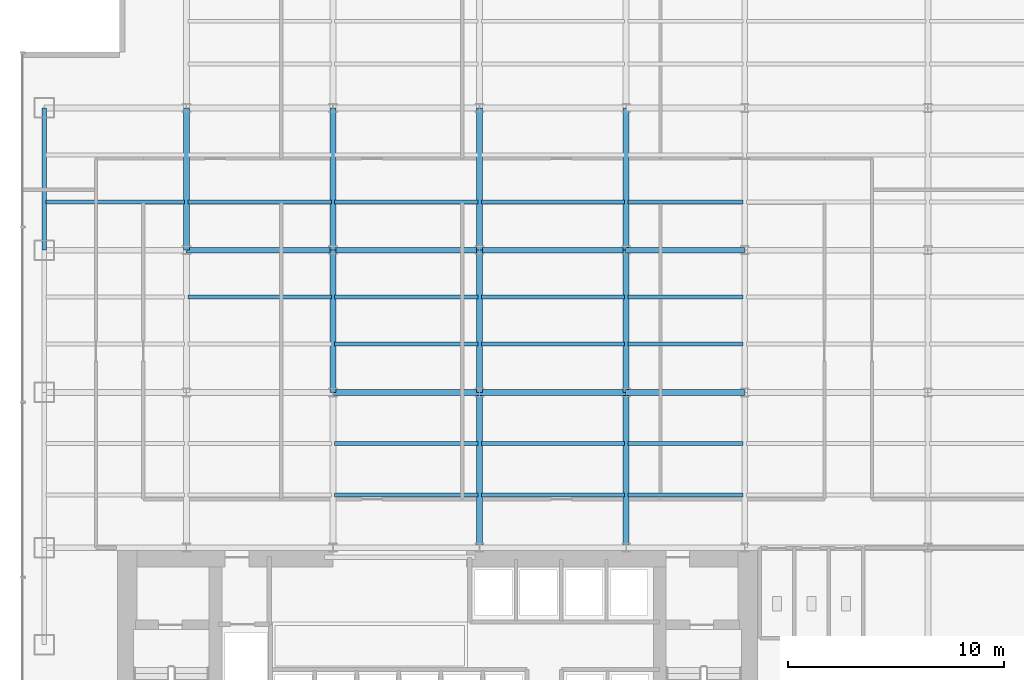
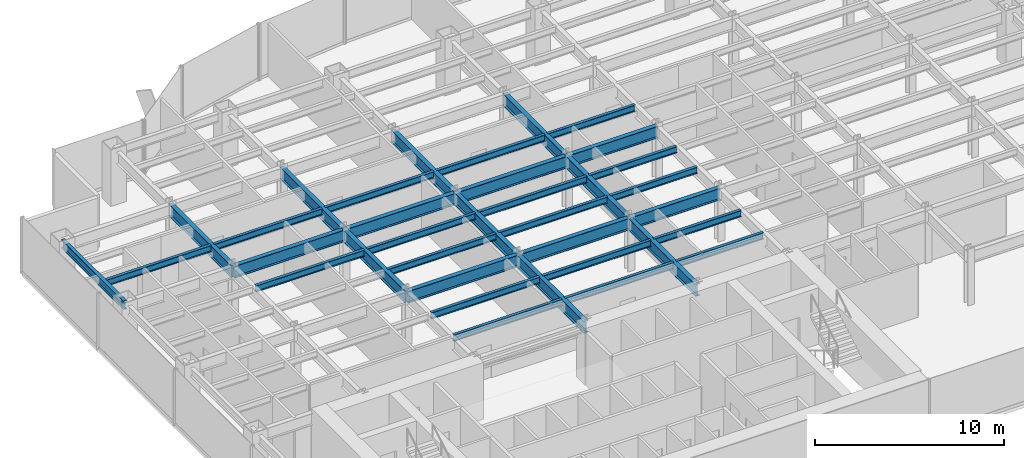
# One storey, part 5 of 23: 35 beams.
"""IFC4 building model written with IfcOpenShell, lengths in metres."""

from ifc_helpers import new_model, si_unit, derived_unit, direction, frame, origin, origin_2d, place, context, subcontext, project, spatial, i_section, extrude, source, transform, mapped, material, material_profile, profile_set, type_object, element, save


model = new_model("IFC4")

# Units and contexts
model_context = context("Model", 3, precision=1e-05, world=origin(), true_north=direction((0.0, 1.0)))
body_context = subcontext(model_context, "Body", "Model", "MODEL_VIEW")
ifc_project = project(units=[si_unit("LENGTHUNIT", "METRE"), si_unit("AREAUNIT", "SQUARE_METRE"), si_unit("VOLUMEUNIT", "CUBIC_METRE"), si_unit("PLANEANGLEUNIT", "RADIAN"), si_unit("MASSUNIT", "GRAM", prefix="KILO"), derived_unit("THERMALTRANSMITTANCEUNIT", [(si_unit("POWERUNIT", "WATT"), 1), (si_unit("LENGTHUNIT", "METRE"), -2), (si_unit("THERMODYNAMICTEMPERATUREUNIT", "KELVIN"), -1)])], contexts=[model_context])

# Site, building, storey
site_placement = place(None, origin())
site = spatial("IfcSite", under=ifc_project, at=site_placement, CompositionType="ELEMENT")
building_placement = place(site_placement, origin())
building = spatial("IfcBuilding", under=site, at=building_placement, Name="Skarnbrae Concourse Arena and Tower", CompositionType="ELEMENT")
storey_placement = place(building_placement, frame((0.0, 0.0, 47.10009765625)))
storey = spatial("IfcBuildingStorey", under=building, at=storey_placement, Name="L10", CompositionType="ELEMENT", Elevation=47.10009765625)

# Beams
ifc_material = material(Name="Steel CSA G40.21 350W", Category="steel")
ifc_material_profile_1 = material_profile(ifc_material, i_section(OverallWidth=0.26806640625, OverallDepth=0.77001953125, WebThickness=0.015625, FlangeThickness=0.025390625, at=origin_2d()), Name="W760X196")
ifc_profile_set_1 = profile_set([ifc_material_profile_1], Name="Steel CSA G40.21 350W")
beam_type_1 = type_object("IfcBeamType", Name="BM-GIRD-W760X196", PredefinedType="BEAM", material=ifc_profile_set_1)
shared_shape_1 = source(origin(), body_context, "Body", "SweptSolid", [
    extrude(i_section(OverallWidth=0.26806640625, OverallDepth=0.77001953125, WebThickness=0.015625, FlangeThickness=0.025390625, at=origin_2d()), origin(), (0.0, 0.0, 1.0), 6.60009765625),
])
for number, where, z_axis, x_axis, name in (
    (1, (14.39990234375, 21.199951171875, 3.014892578125), (0.0, 1.0, 0.0), (-1.0, 0.0, 0.0), "L10 Primary N-S girder X14.4-2"),
    (2, (21.199951171875, 21.199951171875, 3.014892578125), (0.0, 1.0, 0.0), (-1.0, 0.0, 0.0), "L10 Primary N-S girder X21.2-2"),
    (3, (28.0, 21.199951171875, 3.014892578125), (0.0, 1.0, 0.0), (-1.0, 0.0, 0.0), "L10 Primary N-S girder X28.0-2"),
):
    element("IfcBeam", number, at=place(storey_placement, frame(where, z_axis=z_axis, x_axis=x_axis)), inside=storey, type_object=beam_type_1, Name=name, PredefinedType="BEAM", context=body_context, shape_type="MappedRepresentation", body=[
        mapped(shared_shape_1, transform((0.0, 0.0, 0.0))),
    ])
shared_shape_2 = source(origin(), body_context, "Body", "SweptSolid", [
    extrude(i_section(OverallWidth=0.26806640625, OverallDepth=0.77001953125, WebThickness=0.015625, FlangeThickness=0.025390625, at=origin_2d()), origin(), (0.0, 0.0, 1.0), 6.7998046875),
])
beam_1_placement = place(storey_placement, frame((7.60009765625, 27.800048828125, 3.014892578125), z_axis=(1.0, 0.0, 0.0), x_axis=(0.0, 1.0, 0.0)))
element("IfcBeam", 4, at=beam_1_placement, inside=storey, type_object=beam_type_1, Name="L10 Primary E-W girder Y27.8-2", PredefinedType="BEAM", context=body_context, shape_type="MappedRepresentation", body=[
    mapped(shared_shape_2, transform((0.0, 0.0, 0.0))),
])
shared_shape_3 = source(origin(), body_context, "Body", "SweptSolid", [
    extrude(i_section(OverallWidth=0.26806640625, OverallDepth=0.77001953125, WebThickness=0.015625, FlangeThickness=0.025390625, at=origin_2d()), origin(), (0.0, 0.0, 1.0), 6.800048828125),
])
for number, where, z_axis, x_axis, name in (
    (5, (14.39990234375, 21.199951171875, 3.014892578125), (1.0, 0.0, 0.0), (0.0, 1.0, 0.0), "L10 Primary E-W girder Y21.2-3"),
    (6, (21.199951171875, 21.199951171875, 3.014892578125), (1.0, 0.0, 0.0), (0.0, 1.0, 0.0), "L10 Primary E-W girder Y21.2-4"),
    (7, (14.39990234375, 27.800048828125, 3.014892578125), (1.0, 0.0, 0.0), (0.0, 1.0, 0.0), "L10 Primary E-W girder Y27.8-3"),
    (8, (21.199951171875, 27.800048828125, 3.014892578125), (1.0, 0.0, 0.0), (0.0, 1.0, 0.0), "L10 Primary E-W girder Y27.8-4"),
):
    element("IfcBeam", number, at=place(storey_placement, frame(where, z_axis=z_axis, x_axis=x_axis)), inside=storey, type_object=beam_type_1, Name=name, PredefinedType="BEAM", context=body_context, shape_type="MappedRepresentation", body=[
        mapped(shared_shape_3, transform((0.0, 0.0, 0.0))),
    ])
shared_shape_4 = source(origin(), body_context, "Body", "SweptSolid", [
    extrude(i_section(OverallWidth=0.26806640625, OverallDepth=0.77001953125, WebThickness=0.015625, FlangeThickness=0.025390625, at=origin_2d()), origin(), (0.0, 0.0, 1.0), 5.5),
])
for number, where, z_axis, x_axis, name in (
    (9, (28.0, 21.199951171875, 3.014892578125), (1.0, 0.0, 0.0), (0.0, 1.0, 0.0), "L10 Primary E-W girder Y21.2-5"),
    (10, (28.0, 27.800048828125, 3.014892578125), (1.0, 0.0, 0.0), (0.0, 1.0, 0.0), "L10 Primary E-W girder Y27.8-5"),
):
    element("IfcBeam", number, at=place(storey_placement, frame(where, z_axis=z_axis, x_axis=x_axis)), inside=storey, type_object=beam_type_1, Name=name, PredefinedType="BEAM", context=body_context, shape_type="MappedRepresentation", body=[
        mapped(shared_shape_4, transform((0.0, 0.0, 0.0))),
    ])
ifc_material_profile_2 = material_profile(ifc_material, i_section(OverallWidth=0.214111328125, OverallDepth=0.549072265625, WebThickness=0.0146484375, FlangeThickness=0.023681640625, at=origin_2d()), Name="W530X138")
ifc_profile_set_2 = profile_set([ifc_material_profile_2], Name="Steel CSA G40.21 350W")
beam_type_2 = type_object("IfcBeamType", Name="BM-SPAN-W530X138", PredefinedType="SPANDREL", material=ifc_profile_set_2)
shared_shape_5 = source(origin(), body_context, "Body", "SweptSolid", [
    extrude(i_section(OverallWidth=0.214111328125, OverallDepth=0.549072265625, WebThickness=0.0146484375, FlangeThickness=0.023681640625, at=origin_2d()), origin(), (0.0, 0.0, 1.0), 6.599853515625),
])
beam_2_placement = place(storey_placement, frame((1.0, 27.800048828125, 3.12548828125), z_axis=(0.0, 1.0, 0.0), x_axis=(-1.0, 0.0, 0.0)))
element("IfcBeam", 11, at=beam_2_placement, inside=storey, type_object=beam_type_2, Name="L10 Perimeter spandrel X1.0-4", PredefinedType="SPANDREL", context=body_context, shape_type="MappedRepresentation", body=[
    mapped(shared_shape_5, transform((0.0, 0.0, 0.0))),
])
shared_shape_6 = source(origin(), body_context, "Body", "SweptSolid", [
    extrude(i_section(OverallWidth=0.26806640625, OverallDepth=0.77001953125, WebThickness=0.015625, FlangeThickness=0.025390625, at=origin_2d()), origin(), (0.0, 0.0, 1.0), 7.199951171875),
])
for number, where, z_axis, x_axis, name in (
    (12, (21.199951171875, 14.0, 3.014892578125), (0.0, 1.0, 0.0), (-1.0, 0.0, 0.0), "L10 Primary N-S girder X21.2-1"),
    (13, (28.0, 14.0, 3.014892578125), (0.0, 1.0, 0.0), (-1.0, 0.0, 0.0), "L10 Primary N-S girder X28.0-1"),
):
    element("IfcBeam", number, at=place(storey_placement, frame(where, z_axis=z_axis, x_axis=x_axis)), inside=storey, type_object=beam_type_1, Name=name, PredefinedType="BEAM", context=body_context, shape_type="MappedRepresentation", body=[
        mapped(shared_shape_6, transform((0.0, 0.0, 0.0))),
    ])
shared_shape_7 = source(origin(), body_context, "Body", "SweptSolid", [
    extrude(i_section(OverallWidth=0.26806640625, OverallDepth=0.77001953125, WebThickness=0.015625, FlangeThickness=0.025390625, at=origin_2d()), origin(), (0.0, 0.0, 1.0), 6.599853515625),
])
for number, where, z_axis, x_axis, name in (
    (14, (7.60009765625, 27.800048828125, 3.014892578125), (0.0, 1.0, 0.0), (-1.0, 0.0, 0.0), "L10 Primary N-S girder X7.6-3"),
    (15, (14.39990234375, 27.800048828125, 3.014892578125), (0.0, 1.0, 0.0), (-1.0, 0.0, 0.0), "L10 Primary N-S girder X14.4-3"),
    (16, (21.199951171875, 27.800048828125, 3.014892578125), (0.0, 1.0, 0.0), (-1.0, 0.0, 0.0), "L10 Primary N-S girder X21.2-3"),
    (17, (28.0, 27.800048828125, 3.014892578125), (0.0, 1.0, 0.0), (-1.0, 0.0, 0.0), "L10 Primary N-S girder X28.0-3"),
):
    element("IfcBeam", number, at=place(storey_placement, frame(where, z_axis=z_axis, x_axis=x_axis)), inside=storey, type_object=beam_type_1, Name=name, PredefinedType="BEAM", context=body_context, shape_type="MappedRepresentation", body=[
        mapped(shared_shape_7, transform((0.0, 0.0, 0.0))),
    ])
ifc_material_profile_3 = material_profile(ifc_material, i_section(OverallWidth=0.180908203125, OverallDepth=0.4169921875, WebThickness=0.010986328125, FlangeThickness=0.018310546875, at=origin_2d()), Name="W410X85")
ifc_profile_set_3 = profile_set([ifc_material_profile_3], Name="Steel CSA G40.21 350W")
beam_type_3 = type_object("IfcBeamType", Name="BM-JOIST-W410X85", PredefinedType="JOIST", material=ifc_profile_set_3)
shared_shape_8 = source(origin(), body_context, "Body", "SweptSolid", [
    extrude(i_section(OverallWidth=0.180908203125, OverallDepth=0.4169921875, WebThickness=0.010986328125, FlangeThickness=0.018310546875, at=origin_2d()), origin(), (0.0, 0.0, 1.0), 6.43994140625),
])
beam_3_placement = place(storey_placement, frame((1.080078125, 30.0439453125, 3.19140625), z_axis=(1.0, 0.0, 0.0), x_axis=(0.0, 1.0, 0.0)))
element("IfcBeam", 18, at=beam_3_placement, inside=storey, type_object=beam_type_3, Name="L10 Secondary floor joist 3.1.1", PredefinedType="JOIST", context=body_context, shape_type="MappedRepresentation", body=[
    mapped(shared_shape_8, transform((0.0, 0.0, 0.0))),
])
shared_shape_9 = source(origin(), body_context, "Body", "SweptSolid", [
    extrude(i_section(OverallWidth=0.180908203125, OverallDepth=0.4169921875, WebThickness=0.010986328125, FlangeThickness=0.018310546875, at=origin_2d()), origin(), (0.0, 0.0, 1.0), 6.64013671875),
])
for number, where, z_axis, x_axis, name in (
    (19, (14.47998046875, 16.447998046875, 3.19140625), (1.0, 0.0, 0.0), (0.0, 1.0, 0.0), "L10 Secondary floor joist 1.1.3"),
    (20, (14.47998046875, 18.823974609375, 3.19140625), (1.0, 0.0, 0.0), (0.0, 1.0, 0.0), "L10 Secondary floor joist 1.2.3"),
    (21, (14.47998046875, 23.444091796875, 3.19140625), (1.0, 0.0, 0.0), (0.0, 1.0, 0.0), "L10 Secondary floor joist 2.1.3"),
    (22, (7.679931640625, 25.6220703125, 3.19140625), (1.0, 0.0, 0.0), (0.0, 1.0, 0.0), "L10 Secondary floor joist 2.2.2"),
    (23, (14.47998046875, 25.6220703125, 3.19140625), (1.0, 0.0, 0.0), (0.0, 1.0, 0.0), "L10 Secondary floor joist 2.2.3"),
    (24, (7.679931640625, 30.0439453125, 3.19140625), (1.0, 0.0, 0.0), (0.0, 1.0, 0.0), "L10 Secondary floor joist 3.1.2"),
    (25, (14.47998046875, 30.0439453125, 3.19140625), (1.0, 0.0, 0.0), (0.0, 1.0, 0.0), "L10 Secondary floor joist 3.1.3"),
):
    element("IfcBeam", number, at=place(storey_placement, frame(where, z_axis=z_axis, x_axis=x_axis)), inside=storey, type_object=beam_type_3, Name=name, PredefinedType="JOIST", context=body_context, shape_type="MappedRepresentation", body=[
        mapped(shared_shape_9, transform((0.0, 0.0, 0.0))),
    ])
shared_shape_10 = source(origin(), body_context, "Body", "SweptSolid", [
    extrude(i_section(OverallWidth=0.180908203125, OverallDepth=0.4169921875, WebThickness=0.010986328125, FlangeThickness=0.018310546875, at=origin_2d()), origin(), (0.0, 0.0, 1.0), 6.639892578125),
])
for number, where, z_axis, x_axis, name in (
    (26, (21.280029296875, 16.447998046875, 3.19140625), (1.0, 0.0, 0.0), (0.0, 1.0, 0.0), "L10 Secondary floor joist 1.1.4"),
    (27, (21.280029296875, 18.823974609375, 3.19140625), (1.0, 0.0, 0.0), (0.0, 1.0, 0.0), "L10 Secondary floor joist 1.2.4"),
    (28, (21.280029296875, 23.444091796875, 3.19140625), (1.0, 0.0, 0.0), (0.0, 1.0, 0.0), "L10 Secondary floor joist 2.1.4"),
    (29, (21.280029296875, 25.6220703125, 3.19140625), (1.0, 0.0, 0.0), (0.0, 1.0, 0.0), "L10 Secondary floor joist 2.2.4"),
    (30, (21.280029296875, 30.0439453125, 3.19140625), (1.0, 0.0, 0.0), (0.0, 1.0, 0.0), "L10 Secondary floor joist 3.1.4"),
):
    element("IfcBeam", number, at=place(storey_placement, frame(where, z_axis=z_axis, x_axis=x_axis)), inside=storey, type_object=beam_type_3, Name=name, PredefinedType="JOIST", context=body_context, shape_type="MappedRepresentation", body=[
        mapped(shared_shape_10, transform((0.0, 0.0, 0.0))),
    ])
shared_shape_11 = source(origin(), body_context, "Body", "SweptSolid", [
    extrude(i_section(OverallWidth=0.180908203125, OverallDepth=0.4169921875, WebThickness=0.010986328125, FlangeThickness=0.018310546875, at=origin_2d()), origin(), (0.0, 0.0, 1.0), 5.33984375),
])
for number, where, z_axis, x_axis, name in (
    (31, (28.080078125, 16.447998046875, 3.19140625), (1.0, 0.0, 0.0), (0.0, 1.0, 0.0), "L10 Secondary floor joist 1.1.5"),
    (32, (28.080078125, 18.823974609375, 3.19140625), (1.0, 0.0, 0.0), (0.0, 1.0, 0.0), "L10 Secondary floor joist 1.2.5"),
    (33, (28.080078125, 23.444091796875, 3.19140625), (1.0, 0.0, 0.0), (0.0, 1.0, 0.0), "L10 Secondary floor joist 2.1.5"),
    (34, (28.080078125, 25.6220703125, 3.19140625), (1.0, 0.0, 0.0), (0.0, 1.0, 0.0), "L10 Secondary floor joist 2.2.5"),
    (35, (28.080078125, 30.0439453125, 3.19140625), (1.0, 0.0, 0.0), (0.0, 1.0, 0.0), "L10 Secondary floor joist 3.1.5"),
):
    element("IfcBeam", number, at=place(storey_placement, frame(where, z_axis=z_axis, x_axis=x_axis)), inside=storey, type_object=beam_type_3, Name=name, PredefinedType="JOIST", context=body_context, shape_type="MappedRepresentation", body=[
        mapped(shared_shape_11, transform((0.0, 0.0, 0.0))),
    ])

save(model, "model.ifc")
